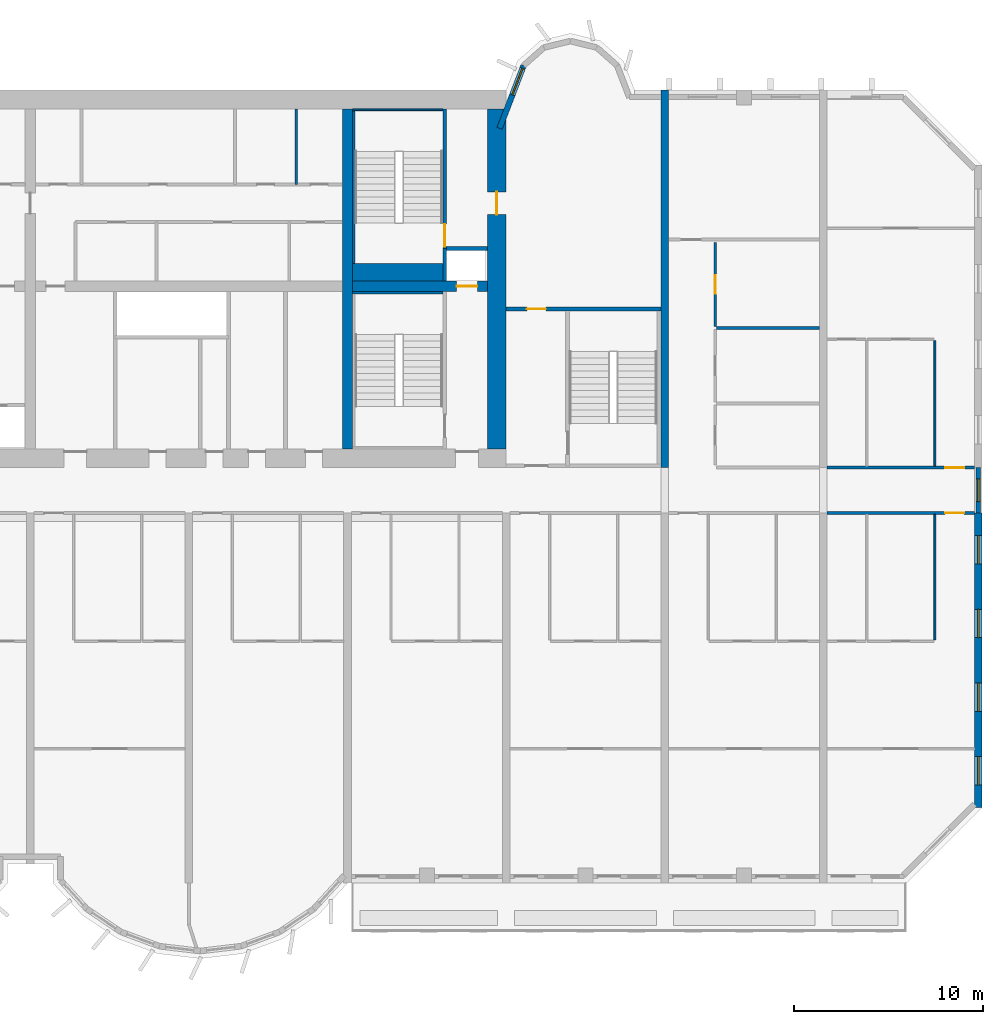
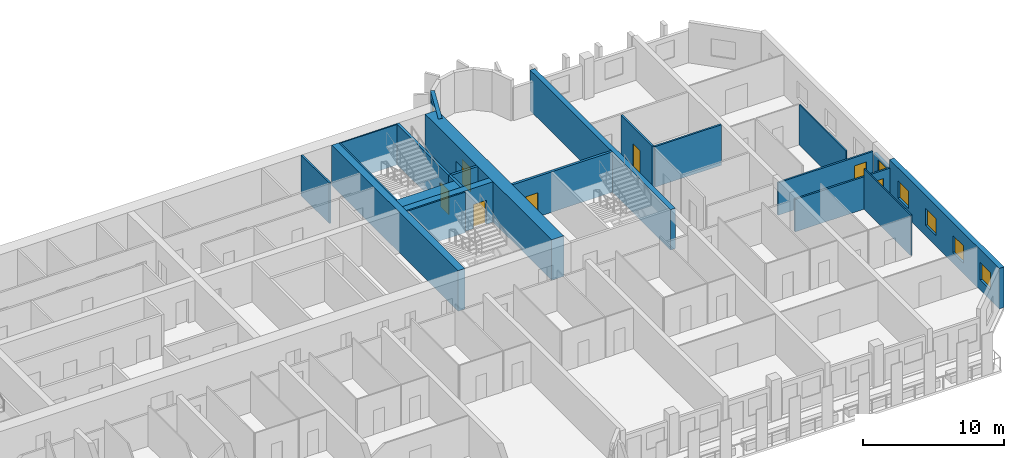
# One storey, part 10 of 15: 22 walls, 7 doors, 6 windows, 13 openings.
"""IFC4 building model written with IfcOpenShell, lengths in metres."""

from ifc_helpers import new_model, si_unit, direction, frame, frame_2d, origin, place, context, subcontext, project, spatial, rectangle, extrude, source, transform, mapped, material, layer, layer_set, type_object, element, fill, save


model = new_model("IFC4")

# Units and contexts
model_context = context("Model", 3, precision=1e-05, world=origin(), true_north=direction((0.0, 1.0)))
body_context = subcontext(model_context, "Body", "Model", "MODEL_VIEW")
ifc_project = project(units=[si_unit("LENGTHUNIT", "METRE"), si_unit("AREAUNIT", "SQUARE_METRE"), si_unit("VOLUMEUNIT", "CUBIC_METRE"), si_unit("PLANEANGLEUNIT", "RADIAN"), si_unit("MASSUNIT", "GRAM", prefix="KILO")], contexts=[model_context])

# Site, building, storey
site_placement = place(None, origin())
site = spatial("IfcSite", under=ifc_project, at=site_placement, CompositionType="ELEMENT")
building_placement = place(site_placement, origin())
building = spatial("IfcBuilding", under=site, at=building_placement, Name="Vanashikhar Sky Hotel", CompositionType="ELEMENT")
storey_placement = place(building_placement, frame((0.0, 0.0, 65.800048828125)))
storey = spatial("IfcBuildingStorey", under=building, at=storey_placement, Name="L15", CompositionType="ELEMENT", Elevation=65.800048828125)

# Wall, opening, door
ifc_material_1 = material(Name="Concrete M80", Category="concrete")
ifc_layer_1 = layer(ifc_material_1, 1.0)
ifc_layer_set_1 = layer_set([ifc_layer_1], Name="RC core shell wall 1000 Concrete M80")
wall_type_1 = type_object("IfcWallType", Name="RC core shell wall 1000 Concrete M80", PredefinedType="SHEAR", material=ifc_layer_set_1)
shared_shape_1 = source(origin(), body_context, "Body", "SweptSolid", [
    extrude(rectangle(XDim=18.0, YDim=1.0, at=frame_2d((9.0, 0.0))), origin(), (0.0, 0.0, 1.0), 3.52001953125),
])
wall_1_placement = place(storey_placement, frame((75.10009765625, 23.0, 0.0), z_axis=(0.0, 0.0, 1.0), x_axis=(0.0, 1.0, 0.0)))
wall_1 = element("IfcWall", 1, at=wall_1_placement, inside=storey, type_object=wall_type_1, Name="KW-L15-KE", PredefinedType="SHEAR", context=body_context, shape_type="MappedRepresentation", body=[
    mapped(shared_shape_1, transform((0.0, 0.0, 0.0), scale=1.0)),
])
shared_shape_2 = source(origin(), body_context, "Body", "SweptSolid", [
    extrude(rectangle(XDim=1.199951171875, YDim=2.10009765625, at=frame_2d((0.60009765625, 1.050048828125))), frame((0.0, 0.510009765625, 0.0), z_axis=(0.0, -1.0, 0.0), x_axis=(1.0, 0.0, 0.0)), (0.0, 0.0, 1.0), 1.02001953125),
])
opening_1_placement = place(wall_1_placement, frame((12.39990234375, 0.0, 0.0)))
opening_1 = element("IfcOpeningElement", 2, at=opening_1_placement, cuts=wall_1, Name="Opening DC-4-D", PredefinedType="OPENING", context=body_context, shape_type="MappedRepresentation", body=[
    mapped(shared_shape_2, transform((0.0, 0.0, 0.0), scale=1.0)),
])
ifc_material_2 = material(Name="Steel", Category="steel")
door_type_1 = type_object("IfcDoorType", Name="Service door 1200 FD120", OperationType="NOTDEFINED", PredefinedType="DOOR", material=ifc_material_2)
shared_shape_3 = source(origin(), body_context, "Body", "SweptSolid", [
    extrude(rectangle(XDim=1.199951171875, YDim=2.10009765625, at=frame_2d((0.60009765625, 1.050048828125))), frame((0.0, 0.02490234375, 0.0), z_axis=(0.0, -1.0, 0.0), x_axis=(1.0, 0.0, 0.0)), (0.0, 0.0, 1.0), 0.050048828125),
])
door_1_placement = place(opening_1_placement, origin())
door_1 = element("IfcDoor", 3, at=door_1_placement, inside=storey, type_object=door_type_1, Name="Service door 1200 FD120", OperationType="SINGLE_SWING_LEFT", OverallHeight=2.10009765625, OverallWidth=1.199951171875, PredefinedType="DOOR", context=body_context, shape_type="MappedRepresentation", body=[
    mapped(shared_shape_3, transform((0.0, 0.0, 0.0), scale=1.0)),
])
fill(opening_1, door_1)

# Wall
ifc_layer_2 = layer(ifc_material_1, 0.550048828125)
ifc_layer_set_2 = layer_set([ifc_layer_2], Name="RC core inner wall 550 Concrete M80")
wall_type_2 = type_object("IfcWallType", Name="RC core inner wall 550 Concrete M80", PredefinedType="SHEAR", material=ifc_layer_set_2)
shared_shape_4 = source(origin(), body_context, "Body", "SweptSolid", [
    extrude(rectangle(XDim=18.0, YDim=0.550048828125, at=frame_2d((9.0, 0.0))), origin(), (0.0, 0.0, 1.0), 3.52001953125),
])
wall_2_placement = place(storey_placement, frame((67.199951171875, 23.0, 0.0), z_axis=(0.0, 0.0, 1.0), x_axis=(0.0, 1.0, 0.0)))
element("IfcWall", 4, at=wall_2_placement, inside=storey, type_object=wall_type_2, Name="KW-L15-KX3", PredefinedType="SHEAR", context=body_context, shape_type="MappedRepresentation", body=[
    mapped(shared_shape_4, transform((0.0, 0.0, 0.0), scale=1.0)),
])

# Wall, opening, door
shared_shape_5 = source(origin(), body_context, "Body", "SweptSolid", [
    extrude(rectangle(XDim=7.125, YDim=0.550048828125, at=frame_2d((3.5625, 0.0))), origin(), (0.0, 0.0, 1.0), 3.52001953125),
])
wall_3_placement = place(storey_placement, frame((67.47509765625, 31.60009765625, 0.0), z_axis=(0.0, 0.0, 1.0), x_axis=(1.0, 0.0, 0.0)))
wall_3 = element("IfcWall", 5, at=wall_3_placement, inside=storey, type_object=wall_type_2, Name="KW-L15-KY4", PredefinedType="SHEAR", context=body_context, shape_type="MappedRepresentation", body=[
    mapped(shared_shape_5, transform((0.0, 0.0, 0.0), scale=1.0)),
])
shared_shape_6 = source(origin(), body_context, "Body", "SweptSolid", [
    extrude(rectangle(XDim=1.10009765625, YDim=2.10009765625, at=frame_2d((0.550048828125, 1.050048828125))), frame((0.0, 0.28515625, 0.0), z_axis=(0.0, -1.0, 0.0), x_axis=(1.0, 0.0, 0.0)), (0.0, 0.0, 1.0), 0.570068359375),
])
opening_2_placement = place(wall_3_placement, frame((5.5, 0.0, 0.0)))
opening_2 = element("IfcOpeningElement", 6, at=opening_2_placement, cuts=wall_3, Name="Opening LD", PredefinedType="OPENING", context=body_context, shape_type="MappedRepresentation", body=[
    mapped(shared_shape_6, transform((0.0, 0.0, 0.0), scale=1.0)),
])
ifc_material_3 = material(Name="Stainless steel", Category="steel")
door_type_2 = type_object("IfcDoorType", Name="Lift landing door 1100", OperationType="NOTDEFINED", PredefinedType="DOOR", material=ifc_material_3)
shared_shape_7 = source(origin(), body_context, "Body", "SweptSolid", [
    extrude(rectangle(XDim=1.10009765625, YDim=2.10009765625, at=frame_2d((0.550048828125, 1.050048828125))), frame((0.0, 0.02490234375, 0.0), z_axis=(0.0, -1.0, 0.0), x_axis=(1.0, 0.0, 0.0)), (0.0, 0.0, 1.0), 0.050048828125),
])
door_2_placement = place(opening_2_placement, origin())
door_2 = element("IfcDoor", 7, at=door_2_placement, inside=storey, type_object=door_type_2, Name="Lift landing door 1100", OperationType="SLIDING_TO_RIGHT", OverallHeight=2.10009765625, OverallWidth=1.10009765625, PredefinedType="DOOR", context=body_context, shape_type="MappedRepresentation", body=[
    mapped(shared_shape_7, transform((0.0, 0.0, 0.0), scale=1.0)),
])
fill(opening_2, door_2)

# Wall, openings, windows
ifc_layer_3 = layer(ifc_material_1, 0.39990234375)
ifc_layer_set_3 = layer_set([ifc_layer_3], Name="RC shear wall 400 Concrete M80")
wall_type_3 = type_object("IfcWallType", Name="RC shear wall 400 Concrete M80", PredefinedType="SHEAR", material=ifc_layer_set_3)
shared_shape_8 = source(origin(), body_context, "Body", "SweptSolid", [
    extrude(rectangle(XDim=15.60009765625, YDim=0.39990234375, at=frame_2d((7.800048828125, 0.0))), origin(), (0.0, 0.0, 1.0), 3.52001953125),
])
wall_4_placement = place(storey_placement, frame((100.60009765625, 4.0, 0.0), z_axis=(0.0, 0.0, 1.0), x_axis=(0.0, 1.0, 0.0)))
wall_4 = element("IfcWall", 8, at=wall_4_placement, inside=storey, type_object=wall_type_3, Name="CW-L15-XW13-1", PredefinedType="SHEAR", context=body_context, shape_type="MappedRepresentation", body=[
    mapped(shared_shape_8, transform((0.0, 0.0, 0.0), scale=1.0)),
])
shared_shape_9 = source(origin(), body_context, "Body", "SweptSolid", [
    extrude(rectangle(XDim=1.5, YDim=1.5, at=frame_2d((0.75, 0.75))), frame((0.0, 0.2099609375, 0.0), z_axis=(0.0, -1.0, 0.0), x_axis=(1.0, 0.0, 0.0)), (0.0, 0.0, 1.0), 0.419921875),
])
opening_3_placement = place(wall_4_placement, frame((1.199951171875, 0.0, 0.89990234375)))
opening_3 = element("IfcOpeningElement", 9, at=opening_3_placement, cuts=wall_4, Name="Opening WN-1", PredefinedType="OPENING", context=body_context, shape_type="MappedRepresentation", body=[
    mapped(shared_shape_9, transform((0.0, 0.0, 0.0), scale=1.0)),
])
opening_4_placement = place(wall_4_placement, frame((5.10009765625, 0.0, 0.89990234375)))
opening_4 = element("IfcOpeningElement", 10, at=opening_4_placement, cuts=wall_4, Name="Opening WN-1", PredefinedType="OPENING", context=body_context, shape_type="MappedRepresentation", body=[
    mapped(shared_shape_9, transform((0.0, 0.0, 0.0), scale=1.0)),
])
opening_5_placement = place(wall_4_placement, frame((9.0, 0.0, 0.89990234375)))
opening_5 = element("IfcOpeningElement", 11, at=opening_5_placement, cuts=wall_4, Name="Opening WN-1", PredefinedType="OPENING", context=body_context, shape_type="MappedRepresentation", body=[
    mapped(shared_shape_9, transform((0.0, 0.0, 0.0), scale=1.0)),
])
opening_6_placement = place(wall_4_placement, frame((12.89990234375, 0.0, 0.89990234375)))
opening_6 = element("IfcOpeningElement", 12, at=opening_6_placement, cuts=wall_4, Name="Opening WN-1", PredefinedType="OPENING", context=body_context, shape_type="MappedRepresentation", body=[
    mapped(shared_shape_9, transform((0.0, 0.0, 0.0), scale=1.0)),
])
ifc_material_4 = material(Name="Glass", Category="glass")
window_type_1 = type_object("IfcWindowType", Name="Window 1500 x 1500", PartitioningType="SINGLE_PANEL", PredefinedType="WINDOW", material=ifc_material_4)
shared_shape_10 = source(origin(), body_context, "Body", "SweptSolid", [
    extrude(rectangle(XDim=1.5, YDim=1.5, at=frame_2d((0.75, 0.75))), frame((0.0, 0.030029296875, 0.0), z_axis=(0.0, -1.0, 0.0), x_axis=(1.0, 0.0, 0.0)), (0.0, 0.0, 1.0), 0.06005859375),
])
window_1_placement = place(opening_3_placement, origin())
window_1 = element("IfcWindow", 13, at=window_1_placement, inside=storey, type_object=window_type_1, Name="Window WN-1", OverallHeight=1.5, OverallWidth=1.5, PartitioningType="SINGLE_PANEL", PredefinedType="WINDOW", context=body_context, shape_type="MappedRepresentation", body=[
    mapped(shared_shape_10, transform((0.0, 0.0, 0.0), scale=1.0)),
])
fill(opening_3, window_1)
window_2_placement = place(opening_4_placement, origin())
window_2 = element("IfcWindow", 14, at=window_2_placement, inside=storey, type_object=window_type_1, Name="Window WN-1", OverallHeight=1.5, OverallWidth=1.5, PartitioningType="SINGLE_PANEL", PredefinedType="WINDOW", context=body_context, shape_type="MappedRepresentation", body=[
    mapped(shared_shape_10, transform((0.0, 0.0, 0.0), scale=1.0)),
])
fill(opening_4, window_2)
window_3_placement = place(opening_5_placement, origin())
window_3 = element("IfcWindow", 15, at=window_3_placement, inside=storey, type_object=window_type_1, Name="Window WN-1", OverallHeight=1.5, OverallWidth=1.5, PartitioningType="SINGLE_PANEL", PredefinedType="WINDOW", context=body_context, shape_type="MappedRepresentation", body=[
    mapped(shared_shape_10, transform((0.0, 0.0, 0.0), scale=1.0)),
])
fill(opening_5, window_3)
window_4_placement = place(opening_6_placement, origin())
window_4 = element("IfcWindow", 16, at=window_4_placement, inside=storey, type_object=window_type_1, Name="Window WN-1", OverallHeight=1.5, OverallWidth=1.5, PartitioningType="SINGLE_PANEL", PredefinedType="WINDOW", context=body_context, shape_type="MappedRepresentation", body=[
    mapped(shared_shape_10, transform((0.0, 0.0, 0.0), scale=1.0)),
])
fill(opening_6, window_4)

# Wall
shared_shape_11 = source(origin(), body_context, "Body", "SweptSolid", [
    extrude(rectangle(XDim=20.0, YDim=0.39990234375, at=frame_2d((10.0, 0.0))), origin(), (0.0, 0.0, 1.0), 3.52001953125),
])
wall_5_placement = place(storey_placement, frame((84.0, 22.0, 0.0), z_axis=(0.0, 0.0, 1.0), x_axis=(0.0, 1.0, 0.0)))
element("IfcWall", 17, at=wall_5_placement, inside=storey, type_object=wall_type_3, Name="CW-L15-XW11-2", PredefinedType="SHEAR", context=body_context, shape_type="MappedRepresentation", body=[
    mapped(shared_shape_11, transform((0.0, 0.0, 0.0), scale=1.0)),
])

# Wall, opening, window
ifc_material_5 = material(Name="Concrete M50", Category="concrete")
ifc_layer_4 = layer(ifc_material_5, 0.300048828125)
ifc_layer_set_4 = layer_set([ifc_layer_4], Name="Lobe wall 300")
wall_type_4 = type_object("IfcWallType", Name="Lobe wall 300", PredefinedType="SOLIDWALL", material=ifc_layer_set_4)
shared_shape_12 = source(origin(), body_context, "Body", "SweptSolid", [
    extrude(rectangle(XDim=3.55908203125, YDim=0.300048828125, at=frame_2d((1.779541015625, 0.0))), origin(), (0.0, 0.0, 1.0), 3.52001953125),
])
wall_6_placement = place(storey_placement, frame((76.5234375, 43.2919921875, 0.0), z_axis=(0.0, 0.0, 1.0), x_axis=(-0.35779745313, -0.933799219604, 0.0)))
wall_6 = element("IfcWall", 18, at=wall_6_placement, inside=storey, type_object=wall_type_4, Name="Lobe wall", PredefinedType="SOLIDWALL", context=body_context, shape_type="MappedRepresentation", body=[
    mapped(shared_shape_12, transform((0.0, 0.0, 0.0), scale=1.0)),
])
shared_shape_13 = source(origin(), body_context, "Body", "SweptSolid", [
    extrude(rectangle(XDim=1.5, YDim=2.0, at=frame_2d((0.75, 1.0))), frame((0.0, 0.16015625, 0.0), z_axis=(0.0, -1.0, 0.0), x_axis=(1.0, 0.0, 0.0)), (0.0, 0.0, 1.0), 0.320068359375),
])
opening_7_placement = place(wall_6_placement, frame((0.156005859375, 0.0, 0.89990234375)))
opening_7 = element("IfcOpeningElement", 19, at=opening_7_placement, cuts=wall_6, Name="Opening WN-2", PredefinedType="OPENING", context=body_context, shape_type="MappedRepresentation", body=[
    mapped(shared_shape_13, transform((0.0, 0.0, 0.0), scale=1.0)),
])
window_type_2 = type_object("IfcWindowType", Name="Lobe window 1500 x 2000", PartitioningType="SINGLE_PANEL", PredefinedType="WINDOW", material=ifc_material_4)
shared_shape_14 = source(origin(), body_context, "Body", "SweptSolid", [
    extrude(rectangle(XDim=1.5, YDim=2.0, at=frame_2d((0.75, 1.0))), frame((0.0, 0.030029296875, 0.0), z_axis=(0.0, -1.0, 0.0), x_axis=(1.0, 0.0, 0.0)), (0.0, 0.0, 1.0), 0.06005859375),
])
window_5_placement = place(opening_7_placement, origin())
window_5 = element("IfcWindow", 20, at=window_5_placement, inside=storey, type_object=window_type_2, Name="Window WN-2", OverallHeight=2.0, OverallWidth=1.5, PartitioningType="SINGLE_PANEL", PredefinedType="WINDOW", context=body_context, shape_type="MappedRepresentation", body=[
    mapped(shared_shape_14, transform((0.0, 0.0, 0.0), scale=1.0)),
])
fill(opening_7, window_5)

ifc_layer_5 = layer(ifc_material_5, 0.25)
ifc_layer_set_5 = layer_set([ifc_layer_5], Name="Rear and end board-marked wall 250")
wall_type_5 = type_object("IfcWallType", Name="Rear and end board-marked wall 250", PredefinedType="SOLIDWALL", material=ifc_layer_set_5)
shared_shape_15 = source(origin(), body_context, "Body", "SweptSolid", [
    extrude(rectangle(XDim=2.39990234375, YDim=0.25, at=frame_2d((1.199951171875, 0.0))), origin(), (0.0, 0.0, 1.0), 2.619873046875),
])
wall_7_placement = place(storey_placement, frame((100.60009765625, 19.60009765625, 0.0), z_axis=(0.0, 0.0, 1.0), x_axis=(0.0, 1.0, 0.0)))
wall_7 = element("IfcWall", 21, at=wall_7_placement, inside=storey, type_object=wall_type_5, Name="End corridor infill wall", PredefinedType="SOLIDWALL", context=body_context, shape_type="MappedRepresentation", body=[
    mapped(shared_shape_15, transform((0.0, 0.0, 0.0), scale=1.0)),
])
shared_shape_16 = source(origin(), body_context, "Body", "SweptSolid", [
    extrude(rectangle(XDim=1.199951171875, YDim=1.5, at=frame_2d((0.60009765625, 0.75))), frame((0.0, 0.135009765625, 0.0), z_axis=(0.0, -1.0, 0.0), x_axis=(1.0, 0.0, 0.0)), (0.0, 0.0, 1.0), 0.27001953125),
])
opening_8_placement = place(wall_7_placement, frame((0.60009765625, 0.0, 0.89990234375)))
opening_8 = element("IfcOpeningElement", 22, at=opening_8_placement, cuts=wall_7, Name="Opening WN-3", PredefinedType="OPENING", context=body_context, shape_type="MappedRepresentation", body=[
    mapped(shared_shape_16, transform((0.0, 0.0, 0.0), scale=1.0)),
])
window_type_3 = type_object("IfcWindowType", Name="Corridor end window 1200 x 1500", PartitioningType="SINGLE_PANEL", PredefinedType="WINDOW", material=ifc_material_4)
shared_shape_17 = source(origin(), body_context, "Body", "SweptSolid", [
    extrude(rectangle(XDim=1.199951171875, YDim=1.5, at=frame_2d((0.60009765625, 0.75))), frame((0.0, 0.030029296875, 0.0), z_axis=(0.0, -1.0, 0.0), x_axis=(1.0, 0.0, 0.0)), (0.0, 0.0, 1.0), 0.06005859375),
])
window_6_placement = place(opening_8_placement, origin())
window_6 = element("IfcWindow", 23, at=window_6_placement, inside=storey, type_object=window_type_3, Name="Window WN-3", OverallHeight=1.5, OverallWidth=1.199951171875, PartitioningType="SINGLE_PANEL", PredefinedType="WINDOW", context=body_context, shape_type="MappedRepresentation", body=[
    mapped(shared_shape_17, transform((0.0, 0.0, 0.0), scale=1.0)),
])
fill(opening_8, window_6)

# Wall, opening, door
ifc_layer_6 = layer(ifc_material_5, 0.199951171875)
ifc_layer_set_6 = layer_set([ifc_layer_6], Name="Stair wall 200")
wall_type_6 = type_object("IfcWallType", Name="Stair wall 200", PredefinedType="SOLIDWALL", material=ifc_layer_set_6)
shared_shape_18 = source(origin(), body_context, "Body", "SweptSolid", [
    extrude(rectangle(XDim=8.199951171875, YDim=0.199951171875, at=frame_2d((4.10009765625, 0.0))), origin(), (0.0, 0.0, 1.0), 3.52001953125),
])
wall_8_placement = place(storey_placement, frame((83.800048828125, 30.39990234375, 0.0), z_axis=(0.0, 0.0, 1.0), x_axis=(-1.0, 0.0, 0.0)))
wall_8 = element("IfcWall", 24, at=wall_8_placement, inside=storey, type_object=wall_type_6, Name="Stair wall 200", PredefinedType="SOLIDWALL", context=body_context, shape_type="MappedRepresentation", body=[
    mapped(shared_shape_18, transform((0.0, 0.0, 0.0), scale=1.0)),
])
shared_shape_19 = source(origin(), body_context, "Body", "SweptSolid", [
    extrude(rectangle(XDim=1.0, YDim=2.10009765625, at=frame_2d((0.5, 1.050048828125))), frame((0.0, 0.10986328125, 0.0), z_axis=(0.0, -1.0, 0.0), x_axis=(1.0, 0.0, 0.0)), (0.0, 0.0, 1.0), 0.219970703125),
])
opening_9_placement = place(wall_8_placement, frame((6.10009765625, 0.0, 0.0)))
opening_9 = element("IfcOpeningElement", 25, at=opening_9_placement, cuts=wall_8, Name="Opening DC-6", PredefinedType="OPENING", context=body_context, shape_type="MappedRepresentation", body=[
    mapped(shared_shape_19, transform((0.0, 0.0, 0.0), scale=1.0)),
])
door_type_3 = type_object("IfcDoorType", Name="Pocket door 1000 FD60", OperationType="NOTDEFINED", PredefinedType="DOOR", material=ifc_material_2)
shared_shape_20 = source(origin(), body_context, "Body", "SweptSolid", [
    extrude(rectangle(XDim=1.0, YDim=2.10009765625, at=frame_2d((0.5, 1.050048828125))), frame((0.0, 0.02490234375, 0.0), z_axis=(0.0, -1.0, 0.0), x_axis=(1.0, 0.0, 0.0)), (0.0, 0.0, 1.0), 0.050048828125),
])
door_3_placement = place(opening_9_placement, origin())
door_3 = element("IfcDoor", 26, at=door_3_placement, inside=storey, type_object=door_type_3, Name="Pocket door 1000 FD60", OperationType="SINGLE_SWING_RIGHT", OverallHeight=2.10009765625, OverallWidth=1.0, PredefinedType="DOOR", context=body_context, shape_type="MappedRepresentation", body=[
    mapped(shared_shape_20, transform((0.0, 0.0, 0.0), scale=1.0)),
])
fill(opening_9, door_3)

# Walls
ifc_material_6 = material(Name="Concrete M40", Category="concrete")
ifc_layer_7 = layer(ifc_material_6, 0.199951171875)
ifc_layer_set_7 = layer_set([ifc_layer_7], Name="Shaft wall 200")
wall_type_7 = type_object("IfcWallType", Name="Shaft wall 200", PredefinedType="SOLIDWALL", material=ifc_layer_set_7)
shared_shape_21 = source(origin(), body_context, "Body", "SweptSolid", [
    extrude(rectangle(XDim=2.150146484375, YDim=0.199951171875, at=frame_2d((1.0751953125, 0.0))), origin(), (0.0, 0.0, 1.0), 3.52001953125),
])
wall_9_placement = place(storey_placement, frame((72.449951171875, 33.60009765625, 0.0), z_axis=(0.0, 0.0, 1.0), x_axis=(1.0, 0.0, 0.0)))
element("IfcWall", 27, at=wall_9_placement, inside=storey, type_object=wall_type_7, Name="Shaft wall 200", PredefinedType="SOLIDWALL", context=body_context, shape_type="MappedRepresentation", body=[
    mapped(shared_shape_21, transform((0.0, 0.0, 0.0), scale=1.0)),
])
ifc_material_7 = material(Name="Gypsum board partition")
ifc_layer_8 = layer(ifc_material_7, 0.14990234375)
ifc_layer_set_8 = layer_set([ifc_layer_8], Name="Service partition 150")
wall_type_8 = type_object("IfcWallType", Name="Service partition 150", PredefinedType="PARTITIONING", material=ifc_layer_set_8)
shared_shape_22 = source(origin(), body_context, "Body", "SweptSolid", [
    extrude(rectangle(XDim=4.0, YDim=0.14990234375, at=frame_2d((2.0, 0.0))), origin(), (0.0, 0.0, 1.0), 3.52001953125),
])
wall_10_placement = place(storey_placement, frame((64.487060546875, 37.0, 0.0), z_axis=(0.0, 0.0, 1.0), x_axis=(0.0, 1.0, 0.0)))
element("IfcWall", 28, at=wall_10_placement, inside=storey, type_object=wall_type_8, Name="Service partition 150", PredefinedType="PARTITIONING", context=body_context, shape_type="MappedRepresentation", body=[
    mapped(shared_shape_22, transform((0.0, 0.0, 0.0), scale=1.0)),
])
shared_shape_23 = source(origin(), body_context, "Body", "SweptSolid", [
    extrude(rectangle(XDim=1.72509765625, YDim=0.199951171875, at=frame_2d((0.862548828125, 0.0))), origin(), (0.0, 0.0, 1.0), 3.52001953125),
])
wall_11_placement = place(storey_placement, frame((72.35009765625, 31.875, 0.0), z_axis=(0.0, 0.0, 1.0), x_axis=(0.0, 1.0, 0.0)))
element("IfcWall", 29, at=wall_11_placement, inside=storey, type_object=wall_type_7, Name="Shaft wall 200", PredefinedType="SOLIDWALL", context=body_context, shape_type="MappedRepresentation", body=[
    mapped(shared_shape_23, transform((0.0, 0.0, 0.0), scale=1.0)),
])

# Wall, opening, door
shared_shape_24 = source(origin(), body_context, "Body", "SweptSolid", [
    extrude(rectangle(XDim=7.39990234375, YDim=0.199951171875, at=frame_2d((3.699951171875, 0.0))), origin(), (0.0, 0.0, 1.0), 3.52001953125),
])
wall_12_placement = place(storey_placement, frame((72.35009765625, 33.60009765625, 0.0), z_axis=(0.0, 0.0, 1.0), x_axis=(0.0, 1.0, 0.0)))
wall_12 = element("IfcWall", 30, at=wall_12_placement, inside=storey, type_object=wall_type_6, Name="Stair wall 200", PredefinedType="SOLIDWALL", context=body_context, shape_type="MappedRepresentation", body=[
    mapped(shared_shape_24, transform((0.0, 0.0, 0.0), scale=1.0)),
])
shared_shape_25 = source(origin(), body_context, "Body", "SweptSolid", [
    extrude(rectangle(XDim=1.199951171875, YDim=2.10009765625, at=frame_2d((0.60009765625, 1.050048828125))), frame((0.0, 0.10986328125, 0.0), z_axis=(0.0, -1.0, 0.0), x_axis=(1.0, 0.0, 0.0)), (0.0, 0.0, 1.0), 0.219970703125),
])
opening_10_placement = place(wall_12_placement, frame((0.10009765625, 0.0, 0.0)))
opening_10 = element("IfcOpeningElement", 31, at=opening_10_placement, cuts=wall_12, Name="Opening DC-1", PredefinedType="OPENING", context=body_context, shape_type="MappedRepresentation", body=[
    mapped(shared_shape_25, transform((0.0, 0.0, 0.0), scale=1.0)),
])
door_type_4 = type_object("IfcDoorType", Name="Stair door 1200 FD120", OperationType="NOTDEFINED", PredefinedType="DOOR", material=ifc_material_2)
door_4_placement = place(opening_10_placement, origin())
door_4 = element("IfcDoor", 32, at=door_4_placement, inside=storey, type_object=door_type_4, Name="Stair door 1200 FD120", OperationType="SINGLE_SWING_RIGHT", OverallHeight=2.10009765625, OverallWidth=1.199951171875, PredefinedType="DOOR", context=body_context, shape_type="MappedRepresentation", body=[
    mapped(shared_shape_3, transform((0.0, 0.0, 0.0), scale=1.0)),
])
fill(opening_10, door_4)

# Walls
ifc_layer_9 = layer(ifc_material_5, 0.10009765625)
ifc_layer_set_9 = layer_set([ifc_layer_9], Name="Stair infill wall 100")
wall_type_9 = type_object("IfcWallType", Name="Stair infill wall 100", PredefinedType="SOLIDWALL", material=ifc_layer_set_9)
shared_shape_26 = source(origin(), body_context, "Body", "SweptSolid", [
    extrude(rectangle(XDim=4.77490234375, YDim=0.10009765625, at=frame_2d((2.387451171875, 0.0))), origin(), (0.0, 0.0, 1.0), 3.52001953125),
])
wall_13_placement = place(storey_placement, frame((67.47509765625, 40.949951171875, 0.0), z_axis=(0.0, 0.0, 1.0), x_axis=(1.0, 0.0, 0.0)))
element("IfcWall", 33, at=wall_13_placement, inside=storey, type_object=wall_type_9, Name="Stair infill wall 100", PredefinedType="SOLIDWALL", context=body_context, shape_type="MappedRepresentation", body=[
    mapped(shared_shape_26, transform((0.0, 0.0, 0.0), scale=1.0)),
])
ifc_layer_10 = layer(ifc_material_5, 0.125)
ifc_layer_set_10 = layer_set([ifc_layer_10], Name="Stair infill wall 125")
wall_type_10 = type_object("IfcWallType", Name="Stair infill wall 125", PredefinedType="SOLIDWALL", material=ifc_layer_set_10)
shared_shape_27 = source(origin(), body_context, "Body", "SweptSolid", [
    extrude(rectangle(XDim=4.77490234375, YDim=0.125, at=frame_2d((2.387451171875, 0.0))), origin(), (0.0, 0.0, 1.0), 3.52001953125),
])
wall_14_placement = place(storey_placement, frame((67.47509765625, 31.261962890625, 0.0), z_axis=(0.0, 0.0, 1.0), x_axis=(1.0, 0.0, 0.0)))
element("IfcWall", 34, at=wall_14_placement, inside=storey, type_object=wall_type_10, Name="Stair infill wall 125", PredefinedType="SOLIDWALL", context=body_context, shape_type="MappedRepresentation", body=[
    mapped(shared_shape_27, transform((0.0, 0.0, 0.0), scale=1.0)),
])
shared_shape_28 = source(origin(), body_context, "Body", "SweptSolid", [
    extrude(rectangle(XDim=8.099853515625, YDim=0.125, at=frame_2d((4.0498046875, 0.0))), origin(), (0.0, 0.0, 1.0), 3.52001953125),
])
wall_15_placement = place(storey_placement, frame((67.537109375, 32.800048828125, 0.0), z_axis=(0.0, 0.0, 1.0), x_axis=(0.0, 1.0, 0.0)))
element("IfcWall", 35, at=wall_15_placement, inside=storey, type_object=wall_type_10, Name="Stair infill wall 125", PredefinedType="SOLIDWALL", context=body_context, shape_type="MappedRepresentation", body=[
    mapped(shared_shape_28, transform((0.0, 0.0, 0.0), scale=1.0)),
])
ifc_layer_11 = layer(ifc_material_5, 0.925048828125)
ifc_layer_set_11 = layer_set([ifc_layer_11], Name="Stair infill wall 925")
wall_type_11 = type_object("IfcWallType", Name="Stair infill wall 925", PredefinedType="SOLIDWALL", material=ifc_layer_set_11)
shared_shape_29 = source(origin(), body_context, "Body", "SweptSolid", [
    extrude(rectangle(XDim=4.77490234375, YDim=0.925048828125, at=frame_2d((2.387451171875, 0.0))), origin(), (0.0, 0.0, 1.0), 3.52001953125),
])
wall_16_placement = place(storey_placement, frame((67.47509765625, 32.3369140625, 0.0), z_axis=(0.0, 0.0, 1.0), x_axis=(1.0, 0.0, 0.0)))
element("IfcWall", 36, at=wall_16_placement, inside=storey, type_object=wall_type_11, Name="Stair infill wall 925", PredefinedType="SOLIDWALL", context=body_context, shape_type="MappedRepresentation", body=[
    mapped(shared_shape_29, transform((0.0, 0.0, 0.0), scale=1.0)),
])

# Wall, opening, door
ifc_material_8 = material(Name="Gypsum plasterboard partition")
ifc_layer_12 = layer(ifc_material_8, 0.14990234375)
ifc_layer_set_12 = layer_set([ifc_layer_12], Name="Corridor and demising partition 150")
wall_type_12 = type_object("IfcWallType", Name="Corridor and demising partition 150", PredefinedType="PARTITIONING", material=ifc_layer_set_12)
shared_shape_30 = source(origin(), body_context, "Body", "SweptSolid", [
    extrude(rectangle(XDim=4.449951171875, YDim=0.14990234375, at=frame_2d((2.22509765625, 0.0))), origin(), (0.0, 0.0, 1.0), 3.52001953125),
])
wall_17_placement = place(storey_placement, frame((86.675048828125, 29.47509765625, 0.0), z_axis=(0.0, 0.0, 1.0), x_axis=(0.0, 1.0, 0.0)))
wall_17 = element("IfcWall", 37, at=wall_17_placement, inside=storey, type_object=wall_type_12, Name="W-L15-PW088", PredefinedType="PARTITIONING", context=body_context, shape_type="MappedRepresentation", body=[
    mapped(shared_shape_30, transform((0.0, 0.0, 0.0), scale=1.0)),
])
shared_shape_31 = source(origin(), body_context, "Body", "SweptSolid", [
    extrude(rectangle(XDim=1.0, YDim=2.10009765625, at=frame_2d((0.5, 1.050048828125))), frame((0.0, 0.0849609375, 0.0), z_axis=(0.0, -1.0, 0.0), x_axis=(1.0, 0.0, 0.0)), (0.0, 0.0, 1.0), 0.169921875),
])
opening_11_placement = place(wall_17_placement, frame((1.72509765625, 0.0, 0.0)))
opening_11 = element("IfcOpeningElement", 38, at=opening_11_placement, cuts=wall_17, Name="Opening D-01", PredefinedType="OPENING", context=body_context, shape_type="MappedRepresentation", body=[
    mapped(shared_shape_31, transform((0.0, 0.0, 0.0), scale=1.0)),
])
ifc_material_9 = material(Name="Timber fire door", Category="wood")
door_type_5 = type_object("IfcDoorType", Name="Guest entry door 1000 FD30S", OperationType="NOTDEFINED", PredefinedType="DOOR", material=ifc_material_9)
door_5_placement = place(opening_11_placement, origin())
door_5 = element("IfcDoor", 39, at=door_5_placement, inside=storey, type_object=door_type_5, Name="D-L15-053", OperationType="SINGLE_SWING_LEFT", OverallHeight=2.10009765625, OverallWidth=1.0, PredefinedType="DOOR", context=body_context, shape_type="MappedRepresentation", body=[
    mapped(shared_shape_20, transform((0.0, 0.0, 0.0), scale=1.0)),
])
fill(opening_11, door_5)

shared_shape_32 = source(origin(), body_context, "Body", "SweptSolid", [
    extrude(rectangle(XDim=7.7998046875, YDim=0.14990234375, at=frame_2d((3.89990234375, 0.0))), origin(), (0.0, 0.0, 1.0), 2.820068359375),
])
wall_18_placement = place(storey_placement, frame((92.60009765625, 19.60009765625, 0.0), z_axis=(0.0, 0.0, 1.0), x_axis=(1.0, 0.0, 0.0)))
wall_18 = element("IfcWall", 40, at=wall_18_placement, inside=storey, type_object=wall_type_12, Name="W-L15-PW067", PredefinedType="PARTITIONING", context=body_context, shape_type="MappedRepresentation", body=[
    mapped(shared_shape_32, transform((0.0, 0.0, 0.0), scale=1.0)),
])
opening_12_placement = place(wall_18_placement, frame((6.25, 0.0, 0.0)))
opening_12 = element("IfcOpeningElement", 41, at=opening_12_placement, cuts=wall_18, Name="Opening D-01", PredefinedType="OPENING", context=body_context, shape_type="MappedRepresentation", body=[
    mapped(shared_shape_31, transform((0.0, 0.0, 0.0), scale=1.0)),
])
door_6_placement = place(opening_12_placement, origin())
door_6 = element("IfcDoor", 42, at=door_6_placement, inside=storey, type_object=door_type_5, Name="D-L15-042", OperationType="SINGLE_SWING_RIGHT", OverallHeight=2.10009765625, OverallWidth=1.0, PredefinedType="DOOR", context=body_context, shape_type="MappedRepresentation", body=[
    mapped(shared_shape_20, transform((0.0, 0.0, 0.0), scale=1.0)),
])
fill(opening_12, door_6)

wall_19_placement = place(storey_placement, frame((92.60009765625, 22.0, 0.0), z_axis=(0.0, 0.0, 1.0), x_axis=(1.0, 0.0, 0.0)))
wall_19 = element("IfcWall", 43, at=wall_19_placement, inside=storey, type_object=wall_type_12, Name="W-L15-PW095", PredefinedType="PARTITIONING", context=body_context, shape_type="MappedRepresentation", body=[
    mapped(shared_shape_32, transform((0.0, 0.0, 0.0), scale=1.0)),
])
opening_13_placement = place(wall_19_placement, frame((6.25, 0.0, 0.0)))
opening_13 = element("IfcOpeningElement", 44, at=opening_13_placement, cuts=wall_19, Name="Opening D-01", PredefinedType="OPENING", context=body_context, shape_type="MappedRepresentation", body=[
    mapped(shared_shape_31, transform((0.0, 0.0, 0.0), scale=1.0)),
])
door_7_placement = place(opening_13_placement, origin())
door_7 = element("IfcDoor", 45, at=door_7_placement, inside=storey, type_object=door_type_5, Name="D-L15-058", OperationType="SINGLE_SWING_RIGHT", OverallHeight=2.10009765625, OverallWidth=1.0, PredefinedType="DOOR", context=body_context, shape_type="MappedRepresentation", body=[
    mapped(shared_shape_20, transform((0.0, 0.0, 0.0), scale=1.0)),
])
fill(opening_13, door_7)

# Walls
shared_shape_33 = source(origin(), body_context, "Body", "SweptSolid", [
    extrude(rectangle(XDim=5.449951171875, YDim=0.14990234375, at=frame_2d((2.72509765625, 0.0))), origin(), (0.0, 0.0, 1.0), 3.52001953125),
])
wall_20_placement = place(storey_placement, frame((86.75, 29.39990234375, 0.0), z_axis=(0.0, 0.0, 1.0), x_axis=(1.0, 0.0, 0.0)))
element("IfcWall", 46, at=wall_20_placement, inside=storey, type_object=wall_type_12, Name="W-L15-PW087", PredefinedType="PARTITIONING", context=body_context, shape_type="MappedRepresentation", body=[
    mapped(shared_shape_33, transform((0.0, 0.0, 0.0), scale=1.0)),
])
ifc_layer_13 = layer(ifc_material_8, 0.10009765625)
ifc_layer_set_13 = layer_set([ifc_layer_13], Name="Wet room partition 100")
wall_type_13 = type_object("IfcWallType", Name="Wet room partition 100", PredefinedType="PARTITIONING", material=ifc_layer_set_13)
shared_shape_34 = source(origin(), body_context, "Body", "SweptSolid", [
    extrude(rectangle(XDim=6.64990234375, YDim=0.10009765625, at=frame_2d((3.324951171875, 0.0))), origin(), (0.0, 0.0, 1.0), 3.52001953125),
])
wall_21_placement = place(storey_placement, frame((98.300048828125, 12.875, 0.0), z_axis=(0.0, 0.0, 1.0), x_axis=(0.0, 1.0, 0.0)))
element("IfcWall", 47, at=wall_21_placement, inside=storey, type_object=wall_type_13, Name="W-L15-PW062", PredefinedType="PARTITIONING", context=body_context, shape_type="MappedRepresentation", body=[
    mapped(shared_shape_34, transform((0.0, 0.0, 0.0), scale=1.0)),
])
shared_shape_35 = source(origin(), body_context, "Body", "SweptSolid", [
    extrude(rectangle(XDim=6.650146484375, YDim=0.10009765625, at=frame_2d((3.3251953125, 0.0))), origin(), (0.0, 0.0, 1.0), 3.52001953125),
])
wall_22_placement = place(storey_placement, frame((98.300048828125, 22.074951171875, 0.0), z_axis=(0.0, 0.0, 1.0), x_axis=(0.0, 1.0, 0.0)))
element("IfcWall", 48, at=wall_22_placement, inside=storey, type_object=wall_type_13, Name="W-L15-PW090", PredefinedType="PARTITIONING", context=body_context, shape_type="MappedRepresentation", body=[
    mapped(shared_shape_35, transform((0.0, 0.0, 0.0), scale=1.0)),
])

save(model, "model.ifc")
